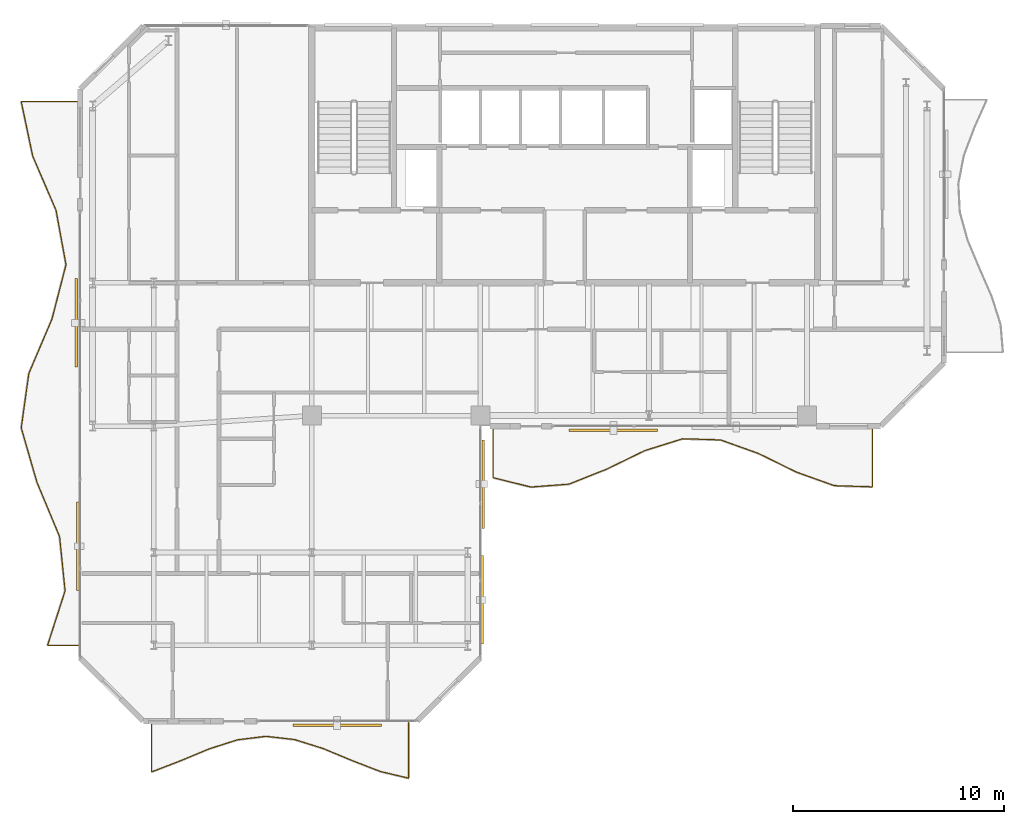
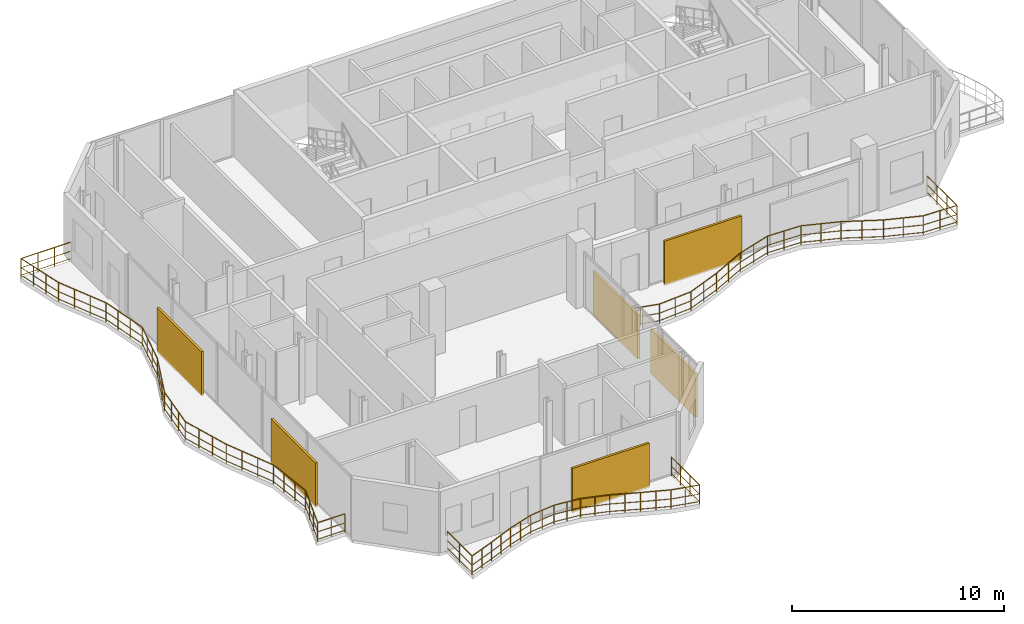
# One storey, part 21 of 23: 6 shading devices, 3 railings.
"""IFC4 building model written with IfcOpenShell, lengths in metres."""

from ifc_helpers import new_model, si_unit, direction, frame, origin, origin_2d, place, context, subcontext, project, spatial, rectangle, circle, extrude, material, type_object, element, save


model = new_model("IFC4")

# Units and contexts
model_context = context("Model", 3, precision=1e-05, world=origin(), true_north=direction((0.0, 1.0)))
body_context = subcontext(model_context, "Body", "Model", "MODEL_VIEW")
ifc_project = project(units=[si_unit("LENGTHUNIT", "METRE"), si_unit("AREAUNIT", "SQUARE_METRE"), si_unit("VOLUMEUNIT", "CUBIC_METRE"), si_unit("PLANEANGLEUNIT", "RADIAN"), si_unit("MASSUNIT", "GRAM", prefix="KILO")], contexts=[model_context])

# Site, building, storey
site_placement = place(None, origin())
site = spatial("IfcSite", under=ifc_project, at=site_placement, CompositionType="ELEMENT")
building_placement = place(site_placement, origin())
building = spatial("IfcBuilding", under=site, at=building_placement, Name="Catumbela Crestline Tower", CompositionType="ELEMENT")
storey_placement = place(building_placement, frame((0.0, 0.0, 241.2)))
storey = spatial("IfcBuildingStorey", under=building, at=storey_placement, Name="L62", CompositionType="ELEMENT", Elevation=241.2)

# Railings
ifc_material_1 = material(Name="Stainless steel EN 1.4401", Category="steel")
railing_type = type_object("IfcRailingType", Name="RB-1100", PredefinedType="BALUSTRADE", material=ifc_material_1)
railing_1_placement = place(storey_placement, frame((24.6, 23.94, 0.0)))
element("IfcRailing", 1, at=railing_1_placement, inside=storey, type_object=railing_type, Name="L62 Private Wave Balcony Balustrade 1", PredefinedType="BALUSTRADE", context=body_context, shape_type="SweptSolid", body=[
    extrude(circle(Radius=0.024, at=origin_2d()), frame((0.0, 0.0, 1.076), z_axis=(0.0, -1.0, 0.0), x_axis=(1.0, 0.0, 0.0)), (0.0, 0.0, 1.0), 2.3853),
    extrude(circle(Radius=0.0156, at=origin_2d()), frame((0.0, 0.0, 0.55), z_axis=(0.0, -1.0, 0.0), x_axis=(1.0, 0.0, 0.0)), (0.0, 0.0, 1.0), 2.3853),
    extrude(circle(Radius=0.0156, at=origin_2d()), frame((0.0, 0.0, 0.12), z_axis=(0.0, -1.0, 0.0), x_axis=(1.0, 0.0, 0.0)), (0.0, 0.0, 1.0), 2.3853),
    extrude(circle(Radius=0.024, at=origin_2d()), frame((0.0, -2.3853, 1.076), z_axis=(0.97081135802, -0.239844339395, 0.0), x_axis=(0.239844339395, 0.97081135802, 0.0)), (0.0, 0.0, 1.0), 1.8541),
    extrude(circle(Radius=0.0156, at=origin_2d()), frame((0.0, -2.3853, 0.55), z_axis=(0.97081135802, -0.239844339395, 0.0), x_axis=(0.239844339395, 0.97081135802, 0.0)), (0.0, 0.0, 1.0), 1.8541),
    extrude(circle(Radius=0.0156, at=origin_2d()), frame((0.0, -2.3853, 0.12), z_axis=(0.97081135802, -0.239844339395, 0.0), x_axis=(0.239844339395, 0.97081135802, 0.0)), (0.0, 0.0, 1.0), 1.8541),
    extrude(circle(Radius=0.024, at=origin_2d()), frame((1.8, -2.83, 1.076), z_axis=(0.9971244509, 0.075781458268, 0.0), x_axis=(-0.075781458268, 0.9971244509, 0.0)), (0.0, 0.0, 1.0), 1.8052),
    extrude(circle(Radius=0.0156, at=origin_2d()), frame((1.8, -2.83, 0.55), z_axis=(0.9971244509, 0.075781458268, 0.0), x_axis=(-0.075781458268, 0.9971244509, 0.0)), (0.0, 0.0, 1.0), 1.8052),
    extrude(circle(Radius=0.0156, at=origin_2d()), frame((1.8, -2.83, 0.12), z_axis=(0.9971244509, 0.075781458268, 0.0), x_axis=(-0.075781458268, 0.9971244509, 0.0)), (0.0, 0.0, 1.0), 1.8052),
    extrude(circle(Radius=0.024, at=origin_2d()), frame((3.6, -2.6932, 1.076), z_axis=(0.929399644581, 0.369074925526, 0.0), x_axis=(-0.369074925526, 0.929399644581, 0.0)), (0.0, 0.0, 1.0), 1.9367),
    extrude(circle(Radius=0.0156, at=origin_2d()), frame((3.6, -2.6932, 0.55), z_axis=(0.929399644581, 0.369074925526, 0.0), x_axis=(-0.369074925526, 0.929399644581, 0.0)), (0.0, 0.0, 1.0), 1.9367),
    extrude(circle(Radius=0.0156, at=origin_2d()), frame((3.6, -2.6932, 0.12), z_axis=(0.929399644581, 0.369074925526, 0.0), x_axis=(-0.369074925526, 0.929399644581, 0.0)), (0.0, 0.0, 1.0), 1.9367),
    extrude(circle(Radius=0.024, at=origin_2d()), frame((5.4, -1.9784, 1.076), z_axis=(0.899073055886, 0.437798629714, 0.0), x_axis=(-0.437798629714, 0.899073055886, 0.0)), (0.0, 0.0, 1.0), 2.0021),
    extrude(circle(Radius=0.0156, at=origin_2d()), frame((5.4, -1.9784, 0.55), z_axis=(0.899073055886, 0.437798629714, 0.0), x_axis=(-0.437798629714, 0.899073055886, 0.0)), (0.0, 0.0, 1.0), 2.0021),
    extrude(circle(Radius=0.0156, at=origin_2d()), frame((5.4, -1.9784, 0.12), z_axis=(0.899073055886, 0.437798629714, 0.0), x_axis=(-0.437798629714, 0.899073055886, 0.0)), (0.0, 0.0, 1.0), 2.0021),
    extrude(circle(Radius=0.024, at=origin_2d()), frame((7.2, -1.1019, 1.076), z_axis=(0.954374253933, 0.298613099897, 0.0), x_axis=(-0.298613099897, 0.954374253933, 0.0)), (0.0, 0.0, 1.0), 1.8861),
    extrude(circle(Radius=0.0156, at=origin_2d()), frame((7.2, -1.1019, 0.55), z_axis=(0.954374253933, 0.298613099897, 0.0), x_axis=(-0.298613099897, 0.954374253933, 0.0)), (0.0, 0.0, 1.0), 1.8861),
    extrude(circle(Radius=0.0156, at=origin_2d()), frame((7.2, -1.1019, 0.12), z_axis=(0.954374253933, 0.298613099897, 0.0), x_axis=(-0.298613099897, 0.954374253933, 0.0)), (0.0, 0.0, 1.0), 1.8861),
    extrude(circle(Radius=0.024, at=origin_2d()), frame((9.0, -0.5387, 1.076), z_axis=(0.999524991442, -0.030818687236, 0.0), x_axis=(0.030818687236, 0.999524991442, 0.0)), (0.0, 0.0, 1.0), 1.8009),
    extrude(circle(Radius=0.0156, at=origin_2d()), frame((9.0, -0.5387, 0.55), z_axis=(0.999524991442, -0.030818687236, 0.0), x_axis=(0.030818687236, 0.999524991442, 0.0)), (0.0, 0.0, 1.0), 1.8009),
    extrude(circle(Radius=0.0156, at=origin_2d()), frame((9.0, -0.5387, 0.12), z_axis=(0.999524991442, -0.030818687236, 0.0), x_axis=(0.030818687236, 0.999524991442, 0.0)), (0.0, 0.0, 1.0), 1.8009),
    extrude(circle(Radius=0.024, at=origin_2d()), frame((10.8, -0.5942, 1.076), z_axis=(0.941535818516, -0.336912900392, 0.0), x_axis=(0.336912900392, 0.941535818516, 0.0)), (0.0, 0.0, 1.0), 1.9118),
    extrude(circle(Radius=0.0156, at=origin_2d()), frame((10.8, -0.5942, 0.55), z_axis=(0.941535818516, -0.336912900392, 0.0), x_axis=(0.336912900392, 0.941535818516, 0.0)), (0.0, 0.0, 1.0), 1.9118),
    extrude(circle(Radius=0.0156, at=origin_2d()), frame((10.8, -0.5942, 0.12), z_axis=(0.941535818516, -0.336912900392, 0.0), x_axis=(0.336912900392, 0.941535818516, 0.0)), (0.0, 0.0, 1.0), 1.9118),
    extrude(circle(Radius=0.024, at=origin_2d()), frame((12.6, -1.2383, 1.076), z_axis=(0.897714236936, -0.440578198283, 0.0), x_axis=(0.440578198283, 0.897714236936, 0.0)), (0.0, 0.0, 1.0), 2.0051),
    extrude(circle(Radius=0.0156, at=origin_2d()), frame((12.6, -1.2383, 0.55), z_axis=(0.897714236936, -0.440578198283, 0.0), x_axis=(0.440578198283, 0.897714236936, 0.0)), (0.0, 0.0, 1.0), 2.0051),
    extrude(circle(Radius=0.0156, at=origin_2d()), frame((12.6, -1.2383, 0.12), z_axis=(0.897714236936, -0.440578198283, 0.0), x_axis=(0.440578198283, 0.897714236936, 0.0)), (0.0, 0.0, 1.0), 2.0051),
    extrude(circle(Radius=0.024, at=origin_2d()), frame((14.4, -2.1217, 1.076), z_axis=(0.941535818516, -0.336912900392, 0.0), x_axis=(0.336912900392, 0.941535818516, 0.0)), (0.0, 0.0, 1.0), 1.9118),
    extrude(circle(Radius=0.0156, at=origin_2d()), frame((14.4, -2.1217, 0.55), z_axis=(0.941535818516, -0.336912900392, 0.0), x_axis=(0.336912900392, 0.941535818516, 0.0)), (0.0, 0.0, 1.0), 1.9118),
    extrude(circle(Radius=0.0156, at=origin_2d()), frame((14.4, -2.1217, 0.12), z_axis=(0.941535818516, -0.336912900392, 0.0), x_axis=(0.336912900392, 0.941535818516, 0.0)), (0.0, 0.0, 1.0), 1.9118),
    extrude(circle(Radius=0.024, at=origin_2d()), frame((16.2, -2.7658, 1.076), z_axis=(0.999524991442, -0.030818687236, 0.0), x_axis=(0.030818687236, 0.999524991442, 0.0)), (0.0, 0.0, 1.0), 1.8009),
    extrude(circle(Radius=0.0156, at=origin_2d()), frame((16.2, -2.7658, 0.55), z_axis=(0.999524991442, -0.030818687236, 0.0), x_axis=(0.030818687236, 0.999524991442, 0.0)), (0.0, 0.0, 1.0), 1.8009),
    extrude(circle(Radius=0.0156, at=origin_2d()), frame((16.2, -2.7658, 0.12), z_axis=(0.999524991442, -0.030818687236, 0.0), x_axis=(0.030818687236, 0.999524991442, 0.0)), (0.0, 0.0, 1.0), 1.8009),
    extrude(circle(Radius=0.024, at=origin_2d()), frame((18.0, -2.8213, 1.076), z_axis=(0.0, 1.0, 0.0), x_axis=(-1.0, 0.0, 0.0)), (0.0, 0.0, 1.0), 2.8213),
    extrude(circle(Radius=0.0156, at=origin_2d()), frame((18.0, -2.8213, 0.55), z_axis=(0.0, 1.0, 0.0), x_axis=(-1.0, 0.0, 0.0)), (0.0, 0.0, 1.0), 2.8213),
    extrude(circle(Radius=0.0156, at=origin_2d()), frame((18.0, -2.8213, 0.12), z_axis=(0.0, 1.0, 0.0), x_axis=(-1.0, 0.0, 0.0)), (0.0, 0.0, 1.0), 2.8213),
    extrude(circle(Radius=0.021, at=origin_2d()), origin(), (0.0, 0.0, 1.0), 1.052),
    extrude(circle(Radius=0.021, at=origin_2d()), frame((0.0, -1.1927, 0.0)), (0.0, 0.0, 1.0), 1.052),
    extrude(circle(Radius=0.021, at=origin_2d()), frame((0.0, -2.3853, 0.0)), (0.0, 0.0, 1.0), 1.052),
    extrude(circle(Radius=0.021, at=origin_2d()), frame((0.9, -2.6077, 0.0)), (0.0, 0.0, 1.0), 1.052),
    extrude(circle(Radius=0.021, at=origin_2d()), frame((1.8, -2.83, 0.0)), (0.0, 0.0, 1.0), 1.052),
    extrude(circle(Radius=0.021, at=origin_2d()), frame((2.7, -2.7616, 0.0)), (0.0, 0.0, 1.0), 1.052),
    extrude(circle(Radius=0.021, at=origin_2d()), frame((3.6, -2.6932, 0.0)), (0.0, 0.0, 1.0), 1.052),
    extrude(circle(Radius=0.021, at=origin_2d()), frame((4.5, -2.3358, 0.0)), (0.0, 0.0, 1.0), 1.052),
    extrude(circle(Radius=0.021, at=origin_2d()), frame((5.4, -1.9784, 0.0)), (0.0, 0.0, 1.0), 1.052),
    extrude(circle(Radius=0.021, at=origin_2d()), frame((6.3, -1.5402, 0.0)), (0.0, 0.0, 1.0), 1.052),
    extrude(circle(Radius=0.021, at=origin_2d()), frame((7.2, -1.1019, 0.0)), (0.0, 0.0, 1.0), 1.052),
    extrude(circle(Radius=0.021, at=origin_2d()), frame((8.1, -0.8203, 0.0)), (0.0, 0.0, 1.0), 1.052),
    extrude(circle(Radius=0.021, at=origin_2d()), frame((9.0, -0.5387, 0.0)), (0.0, 0.0, 1.0), 1.052),
    extrude(circle(Radius=0.021, at=origin_2d()), frame((9.9, -0.5665, 0.0)), (0.0, 0.0, 1.0), 1.052),
    extrude(circle(Radius=0.021, at=origin_2d()), frame((10.8, -0.5942, 0.0)), (0.0, 0.0, 1.0), 1.052),
    extrude(circle(Radius=0.021, at=origin_2d()), frame((11.7, -0.9163, 0.0)), (0.0, 0.0, 1.0), 1.052),
    extrude(circle(Radius=0.021, at=origin_2d()), frame((12.6, -1.2383, 0.0)), (0.0, 0.0, 1.0), 1.052),
    extrude(circle(Radius=0.021, at=origin_2d()), frame((13.5, -1.68, 0.0)), (0.0, 0.0, 1.0), 1.052),
    extrude(circle(Radius=0.021, at=origin_2d()), frame((14.4, -2.1217, 0.0)), (0.0, 0.0, 1.0), 1.052),
    extrude(circle(Radius=0.021, at=origin_2d()), frame((15.3, -2.4438, 0.0)), (0.0, 0.0, 1.0), 1.052),
    extrude(circle(Radius=0.021, at=origin_2d()), frame((16.2, -2.7658, 0.0)), (0.0, 0.0, 1.0), 1.052),
    extrude(circle(Radius=0.021, at=origin_2d()), frame((17.1, -2.7936, 0.0)), (0.0, 0.0, 1.0), 1.052),
    extrude(circle(Radius=0.021, at=origin_2d()), frame((18.0, -2.8213, 0.0)), (0.0, 0.0, 1.0), 1.052),
    extrude(circle(Radius=0.021, at=origin_2d()), frame((18.0, -1.8809, 0.0)), (0.0, 0.0, 1.0), 1.052),
    extrude(circle(Radius=0.021, at=origin_2d()), frame((18.0, -0.9404, 0.0)), (0.0, 0.0, 1.0), 1.052),
    extrude(circle(Radius=0.021, at=origin_2d()), frame((18.0, 0.0, 0.0)), (0.0, 0.0, 1.0), 1.052),
])
railing_2_placement = place(storey_placement, frame((8.4, 9.94, 0.0)))
element("IfcRailing", 2, at=railing_2_placement, inside=storey, type_object=railing_type, Name="L62 Private Wave Balcony Balustrade 3", PredefinedType="BALUSTRADE", context=body_context, shape_type="SweptSolid", body=[
    extrude(circle(Radius=0.024, at=origin_2d()), frame((0.0, 0.0, 1.076), z_axis=(0.0, -1.0, 0.0), x_axis=(1.0, 0.0, 0.0)), (0.0, 0.0, 1.0), 2.3474),
    extrude(circle(Radius=0.0156, at=origin_2d()), frame((0.0, 0.0, 0.55), z_axis=(0.0, -1.0, 0.0), x_axis=(1.0, 0.0, 0.0)), (0.0, 0.0, 1.0), 2.3474),
    extrude(circle(Radius=0.0156, at=origin_2d()), frame((0.0, 0.0, 0.12), z_axis=(0.0, -1.0, 0.0), x_axis=(1.0, 0.0, 0.0)), (0.0, 0.0, 1.0), 2.3474),
    extrude(circle(Radius=0.024, at=origin_2d()), frame((0.0, -2.3474, 1.076), z_axis=(0.933756860318, 0.357907985115, 0.0), x_axis=(-0.357907985115, 0.933756860318, 0.0)), (0.0, 0.0, 1.0), 1.4518),
    extrude(circle(Radius=0.0156, at=origin_2d()), frame((0.0, -2.3474, 0.55), z_axis=(0.933756860318, 0.357907985115, 0.0), x_axis=(-0.357907985115, 0.933756860318, 0.0)), (0.0, 0.0, 1.0), 1.4518),
    extrude(circle(Radius=0.0156, at=origin_2d()), frame((0.0, -2.3474, 0.12), z_axis=(0.933756860318, 0.357907985115, 0.0), x_axis=(-0.357907985115, 0.933756860318, 0.0)), (0.0, 0.0, 1.0), 1.4518),
    extrude(circle(Radius=0.024, at=origin_2d()), frame((1.3556, -1.8278, 1.076), z_axis=(0.922808814946, 0.385258213484, 0.0), x_axis=(-0.385258213484, 0.922808814946, 0.0)), (0.0, 0.0, 1.0), 1.4689),
    extrude(circle(Radius=0.0156, at=origin_2d()), frame((1.3556, -1.8278, 0.55), z_axis=(0.922808814946, 0.385258213484, 0.0), x_axis=(-0.385258213484, 0.922808814946, 0.0)), (0.0, 0.0, 1.0), 1.4689),
    extrude(circle(Radius=0.0156, at=origin_2d()), frame((1.3556, -1.8278, 0.12), z_axis=(0.922808814946, 0.385258213484, 0.0), x_axis=(-0.385258213484, 0.922808814946, 0.0)), (0.0, 0.0, 1.0), 1.4689),
    extrude(circle(Radius=0.024, at=origin_2d()), frame((2.7111, -1.2619, 1.076), z_axis=(0.952238826907, 0.305354247607, 0.0), x_axis=(-0.305354247607, 0.952238826907, 0.0)), (0.0, 0.0, 1.0), 1.4236),
    extrude(circle(Radius=0.0156, at=origin_2d()), frame((2.7111, -1.2619, 0.55), z_axis=(0.952238826907, 0.305354247607, 0.0), x_axis=(-0.305354247607, 0.952238826907, 0.0)), (0.0, 0.0, 1.0), 1.4236),
    extrude(circle(Radius=0.0156, at=origin_2d()), frame((2.7111, -1.2619, 0.12), z_axis=(0.952238826907, 0.305354247607, 0.0), x_axis=(-0.305354247607, 0.952238826907, 0.0)), (0.0, 0.0, 1.0), 1.4236),
    extrude(circle(Radius=0.024, at=origin_2d()), frame((4.0667, -0.8272, 1.076), z_axis=(0.992487091948, 0.122349386252, 0.0), x_axis=(-0.122349386252, 0.992487091948, 0.0)), (0.0, 0.0, 1.0), 1.3658),
    extrude(circle(Radius=0.0156, at=origin_2d()), frame((4.0667, -0.8272, 0.55), z_axis=(0.992487091948, 0.122349386252, 0.0), x_axis=(-0.122349386252, 0.992487091948, 0.0)), (0.0, 0.0, 1.0), 1.3658),
    extrude(circle(Radius=0.0156, at=origin_2d()), frame((4.0667, -0.8272, 0.12), z_axis=(0.992487091948, 0.122349386252, 0.0), x_axis=(-0.122349386252, 0.992487091948, 0.0)), (0.0, 0.0, 1.0), 1.3658),
    extrude(circle(Radius=0.024, at=origin_2d()), frame((5.4222, -0.6601, 1.076), z_axis=(0.993690941314, -0.112153079095, 0.0), x_axis=(0.112153079095, 0.993690941314, 0.0)), (0.0, 0.0, 1.0), 1.3642),
    extrude(circle(Radius=0.0156, at=origin_2d()), frame((5.4222, -0.6601, 0.55), z_axis=(0.993690941314, -0.112153079095, 0.0), x_axis=(0.112153079095, 0.993690941314, 0.0)), (0.0, 0.0, 1.0), 1.3642),
    extrude(circle(Radius=0.0156, at=origin_2d()), frame((5.4222, -0.6601, 0.12), z_axis=(0.993690941314, -0.112153079095, 0.0), x_axis=(0.112153079095, 0.993690941314, 0.0)), (0.0, 0.0, 1.0), 1.3642),
    extrude(circle(Radius=0.024, at=origin_2d()), frame((6.7778, -0.8131, 1.076), z_axis=(0.954177625861, -0.299240803212, 0.0), x_axis=(0.299240803212, 0.954177625861, 0.0)), (0.0, 0.0, 1.0), 1.4206),
    extrude(circle(Radius=0.0156, at=origin_2d()), frame((6.7778, -0.8131, 0.55), z_axis=(0.954177625861, -0.299240803212, 0.0), x_axis=(0.299240803212, 0.954177625861, 0.0)), (0.0, 0.0, 1.0), 1.4206),
    extrude(circle(Radius=0.0156, at=origin_2d()), frame((6.7778, -0.8131, 0.12), z_axis=(0.954177625861, -0.299240803212, 0.0), x_axis=(0.299240803212, 0.954177625861, 0.0)), (0.0, 0.0, 1.0), 1.4206),
    extrude(circle(Radius=0.024, at=origin_2d()), frame((8.1333, -1.2382, 1.076), z_axis=(0.92335075611, -0.383957525243, 0.0), x_axis=(0.383957525243, 0.92335075611, 0.0)), (0.0, 0.0, 1.0), 1.4681),
    extrude(circle(Radius=0.0156, at=origin_2d()), frame((8.1333, -1.2382, 0.55), z_axis=(0.92335075611, -0.383957525243, 0.0), x_axis=(0.383957525243, 0.92335075611, 0.0)), (0.0, 0.0, 1.0), 1.4681),
    extrude(circle(Radius=0.0156, at=origin_2d()), frame((8.1333, -1.2382, 0.12), z_axis=(0.92335075611, -0.383957525243, 0.0), x_axis=(0.383957525243, 0.92335075611, 0.0)), (0.0, 0.0, 1.0), 1.4681),
    extrude(circle(Radius=0.024, at=origin_2d()), frame((9.4889, -1.8019, 1.076), z_axis=(0.932384965915, -0.361466838501, 0.0), x_axis=(0.361466838501, 0.932384965915, 0.0)), (0.0, 0.0, 1.0), 1.4538),
    extrude(circle(Radius=0.0156, at=origin_2d()), frame((9.4889, -1.8019, 0.55), z_axis=(0.932384965915, -0.361466838501, 0.0), x_axis=(0.361466838501, 0.932384965915, 0.0)), (0.0, 0.0, 1.0), 1.4538),
    extrude(circle(Radius=0.0156, at=origin_2d()), frame((9.4889, -1.8019, 0.12), z_axis=(0.932384965915, -0.361466838501, 0.0), x_axis=(0.361466838501, 0.932384965915, 0.0)), (0.0, 0.0, 1.0), 1.4538),
    extrude(circle(Radius=0.024, at=origin_2d()), frame((10.8444, -2.3274, 1.076), z_axis=(0.972880857793, -0.231306801761, 0.0), x_axis=(0.231306801761, 0.972880857793, 0.0)), (0.0, 0.0, 1.0), 1.3934),
    extrude(circle(Radius=0.0156, at=origin_2d()), frame((10.8444, -2.3274, 0.55), z_axis=(0.972880857793, -0.231306801761, 0.0), x_axis=(0.231306801761, 0.972880857793, 0.0)), (0.0, 0.0, 1.0), 1.3934),
    extrude(circle(Radius=0.0156, at=origin_2d()), frame((10.8444, -2.3274, 0.12), z_axis=(0.972880857793, -0.231306801761, 0.0), x_axis=(0.231306801761, 0.972880857793, 0.0)), (0.0, 0.0, 1.0), 1.3934),
    extrude(circle(Radius=0.024, at=origin_2d()), frame((12.2, -2.6497, 1.076), z_axis=(0.0, 1.0, 0.0), x_axis=(-1.0, 0.0, 0.0)), (0.0, 0.0, 1.0), 2.6497),
    extrude(circle(Radius=0.0156, at=origin_2d()), frame((12.2, -2.6497, 0.55), z_axis=(0.0, 1.0, 0.0), x_axis=(-1.0, 0.0, 0.0)), (0.0, 0.0, 1.0), 2.6497),
    extrude(circle(Radius=0.0156, at=origin_2d()), frame((12.2, -2.6497, 0.12), z_axis=(0.0, 1.0, 0.0), x_axis=(-1.0, 0.0, 0.0)), (0.0, 0.0, 1.0), 2.6497),
    extrude(circle(Radius=0.021, at=origin_2d()), origin(), (0.0, 0.0, 1.0), 1.052),
    extrude(circle(Radius=0.021, at=origin_2d()), frame((0.0, -1.1737, 0.0)), (0.0, 0.0, 1.0), 1.052),
    extrude(circle(Radius=0.021, at=origin_2d()), frame((0.0, -2.3474, 0.0)), (0.0, 0.0, 1.0), 1.052),
    extrude(circle(Radius=0.021, at=origin_2d()), frame((0.6778, -2.0876, 0.0)), (0.0, 0.0, 1.0), 1.052),
    extrude(circle(Radius=0.021, at=origin_2d()), frame((1.3556, -1.8278, 0.0)), (0.0, 0.0, 1.0), 1.052),
    extrude(circle(Radius=0.021, at=origin_2d()), frame((2.0333, -1.5448, 0.0)), (0.0, 0.0, 1.0), 1.052),
    extrude(circle(Radius=0.021, at=origin_2d()), frame((2.7111, -1.2619, 0.0)), (0.0, 0.0, 1.0), 1.052),
    extrude(circle(Radius=0.021, at=origin_2d()), frame((3.3889, -1.0445, 0.0)), (0.0, 0.0, 1.0), 1.052),
    extrude(circle(Radius=0.021, at=origin_2d()), frame((4.0667, -0.8272, 0.0)), (0.0, 0.0, 1.0), 1.052),
    extrude(circle(Radius=0.021, at=origin_2d()), frame((4.7444, -0.7436, 0.0)), (0.0, 0.0, 1.0), 1.052),
    extrude(circle(Radius=0.021, at=origin_2d()), frame((5.4222, -0.6601, 0.0)), (0.0, 0.0, 1.0), 1.052),
    extrude(circle(Radius=0.021, at=origin_2d()), frame((6.1, -0.7366, 0.0)), (0.0, 0.0, 1.0), 1.052),
    extrude(circle(Radius=0.021, at=origin_2d()), frame((6.7778, -0.8131, 0.0)), (0.0, 0.0, 1.0), 1.052),
    extrude(circle(Radius=0.021, at=origin_2d()), frame((7.4556, -1.0256, 0.0)), (0.0, 0.0, 1.0), 1.052),
    extrude(circle(Radius=0.021, at=origin_2d()), frame((8.1333, -1.2382, 0.0)), (0.0, 0.0, 1.0), 1.052),
    extrude(circle(Radius=0.021, at=origin_2d()), frame((8.8111, -1.52, 0.0)), (0.0, 0.0, 1.0), 1.052),
    extrude(circle(Radius=0.021, at=origin_2d()), frame((9.4889, -1.8019, 0.0)), (0.0, 0.0, 1.0), 1.052),
    extrude(circle(Radius=0.021, at=origin_2d()), frame((10.1666, -2.0646, 0.0)), (0.0, 0.0, 1.0), 1.052),
    extrude(circle(Radius=0.021, at=origin_2d()), frame((10.8444, -2.3274, 0.0)), (0.0, 0.0, 1.0), 1.052),
    extrude(circle(Radius=0.021, at=origin_2d()), frame((11.5222, -2.4885, 0.0)), (0.0, 0.0, 1.0), 1.052),
    extrude(circle(Radius=0.021, at=origin_2d()), frame((12.2, -2.6497, 0.0)), (0.0, 0.0, 1.0), 1.052),
    extrude(circle(Radius=0.021, at=origin_2d()), frame((12.2, -1.7665, 0.0)), (0.0, 0.0, 1.0), 1.052),
    extrude(circle(Radius=0.021, at=origin_2d()), frame((12.2, -0.8832, 0.0)), (0.0, 0.0, 1.0), 1.052),
    extrude(circle(Radius=0.021, at=origin_2d()), frame((12.2, 0.0, 0.0)), (0.0, 0.0, 1.0), 1.052),
])
railing_3_placement = place(storey_placement, frame((4.94, 39.4, 0.0)))
element("IfcRailing", 3, at=railing_3_placement, inside=storey, type_object=railing_type, Name="L62 Private Wave Balcony Balustrade 4", PredefinedType="BALUSTRADE", context=body_context, shape_type="SweptSolid", body=[
    extrude(circle(Radius=0.024, at=origin_2d()), frame((0.0, 0.0, 1.076), z_axis=(-1.0, 0.0, 0.0), x_axis=(0.0, -1.0, 0.0)), (0.0, 0.0, 1.0), 2.73),
    extrude(circle(Radius=0.0156, at=origin_2d()), frame((0.0, 0.0, 0.55), z_axis=(-1.0, 0.0, 0.0), x_axis=(0.0, -1.0, 0.0)), (0.0, 0.0, 1.0), 2.73),
    extrude(circle(Radius=0.0156, at=origin_2d()), frame((0.0, 0.0, 0.12), z_axis=(-1.0, 0.0, 0.0), x_axis=(0.0, -1.0, 0.0)), (0.0, 0.0, 1.0), 2.73),
    extrude(circle(Radius=0.024, at=origin_2d()), frame((-2.73, 0.0, 1.076), z_axis=(0.206062090829, -0.978538918349, 0.0), x_axis=(0.978538918349, 0.206062090829, 0.0)), (0.0, 0.0, 1.0), 2.6366),
    extrude(circle(Radius=0.0156, at=origin_2d()), frame((-2.73, 0.0, 0.55), z_axis=(0.206062090829, -0.978538918349, 0.0), x_axis=(0.978538918349, 0.206062090829, 0.0)), (0.0, 0.0, 1.0), 2.6366),
    extrude(circle(Radius=0.0156, at=origin_2d()), frame((-2.73, 0.0, 0.12), z_axis=(0.206062090829, -0.978538918349, 0.0), x_axis=(0.978538918349, 0.206062090829, 0.0)), (0.0, 0.0, 1.0), 2.6366),
    extrude(circle(Radius=0.024, at=origin_2d()), frame((-2.1867, -2.58, 1.076), z_axis=(0.395117897707, -0.918630419108, 0.0), x_axis=(0.918630419108, 0.395117897707, 0.0)), (0.0, 0.0, 1.0), 2.8085),
    extrude(circle(Radius=0.0156, at=origin_2d()), frame((-2.1867, -2.58, 0.55), z_axis=(0.395117897707, -0.918630419108, 0.0), x_axis=(0.918630419108, 0.395117897707, 0.0)), (0.0, 0.0, 1.0), 2.8085),
    extrude(circle(Radius=0.0156, at=origin_2d()), frame((-2.1867, -2.58, 0.12), z_axis=(0.395117897707, -0.918630419108, 0.0), x_axis=(0.918630419108, 0.395117897707, 0.0)), (0.0, 0.0, 1.0), 2.8085),
    extrude(circle(Radius=0.024, at=origin_2d()), frame((-1.077, -5.16, 1.076), z_axis=(0.179737618702, -0.983714586871, 0.0), x_axis=(0.983714586871, 0.179737618702, 0.0)), (0.0, 0.0, 1.0), 2.6227),
    extrude(circle(Radius=0.0156, at=origin_2d()), frame((-1.077, -5.16, 0.55), z_axis=(0.179737618702, -0.983714586871, 0.0), x_axis=(0.983714586871, 0.179737618702, 0.0)), (0.0, 0.0, 1.0), 2.6227),
    extrude(circle(Radius=0.0156, at=origin_2d()), frame((-1.077, -5.16, 0.12), z_axis=(0.179737618702, -0.983714586871, 0.0), x_axis=(0.983714586871, 0.179737618702, 0.0)), (0.0, 0.0, 1.0), 2.6227),
    extrude(circle(Radius=0.024, at=origin_2d()), frame((-0.6056, -7.74, 1.076), z_axis=(-0.249946120621, -0.968259746549, 0.0), x_axis=(0.968259746549, -0.249946120621, 0.0)), (0.0, 0.0, 1.0), 2.6646),
    extrude(circle(Radius=0.0156, at=origin_2d()), frame((-0.6056, -7.74, 0.55), z_axis=(-0.249946120621, -0.968259746549, 0.0), x_axis=(0.968259746549, -0.249946120621, 0.0)), (0.0, 0.0, 1.0), 2.6646),
    extrude(circle(Radius=0.0156, at=origin_2d()), frame((-0.6056, -7.74, 0.12), z_axis=(-0.249946120621, -0.968259746549, 0.0), x_axis=(0.968259746549, -0.249946120621, 0.0)), (0.0, 0.0, 1.0), 2.6646),
    extrude(circle(Radius=0.024, at=origin_2d()), frame((-1.2716, -10.32, 1.076), z_axis=(-0.391684292578, -0.920099676637, 0.0), x_axis=(0.920099676637, -0.391684292578, 0.0)), (0.0, 0.0, 1.0), 2.804),
    extrude(circle(Radius=0.0156, at=origin_2d()), frame((-1.2716, -10.32, 0.55), z_axis=(-0.391684292578, -0.920099676637, 0.0), x_axis=(0.920099676637, -0.391684292578, 0.0)), (0.0, 0.0, 1.0), 2.804),
    extrude(circle(Radius=0.0156, at=origin_2d()), frame((-1.2716, -10.32, 0.12), z_axis=(-0.391684292578, -0.920099676637, 0.0), x_axis=(0.920099676637, -0.391684292578, 0.0)), (0.0, 0.0, 1.0), 2.804),
    extrude(circle(Radius=0.024, at=origin_2d()), frame((-2.3699, -12.9, 1.076), z_axis=(-0.138233686263, -0.99039964054, 0.0), x_axis=(0.99039964054, -0.138233686263, 0.0)), (0.0, 0.0, 1.0), 2.605),
    extrude(circle(Radius=0.0156, at=origin_2d()), frame((-2.3699, -12.9, 0.55), z_axis=(-0.138233686263, -0.99039964054, 0.0), x_axis=(0.99039964054, -0.138233686263, 0.0)), (0.0, 0.0, 1.0), 2.605),
    extrude(circle(Radius=0.0156, at=origin_2d()), frame((-2.3699, -12.9, 0.12), z_axis=(-0.138233686263, -0.99039964054, 0.0), x_axis=(0.99039964054, -0.138233686263, 0.0)), (0.0, 0.0, 1.0), 2.605),
    extrude(circle(Radius=0.024, at=origin_2d()), frame((-2.73, -15.48, 1.076), z_axis=(0.27708130902, -0.960846474829, 0.0), x_axis=(0.960846474829, 0.27708130902, 0.0)), (0.0, 0.0, 1.0), 2.6851),
    extrude(circle(Radius=0.0156, at=origin_2d()), frame((-2.73, -15.48, 0.55), z_axis=(0.27708130902, -0.960846474829, 0.0), x_axis=(0.960846474829, 0.27708130902, 0.0)), (0.0, 0.0, 1.0), 2.6851),
    extrude(circle(Radius=0.0156, at=origin_2d()), frame((-2.73, -15.48, 0.12), z_axis=(0.27708130902, -0.960846474829, 0.0), x_axis=(0.960846474829, 0.27708130902, 0.0)), (0.0, 0.0, 1.0), 2.6851),
    extrude(circle(Radius=0.024, at=origin_2d()), frame((-1.986, -18.06, 1.076), z_axis=(0.384859228707, -0.922975283569, 0.0), x_axis=(0.922975283569, 0.384859228707, 0.0)), (0.0, 0.0, 1.0), 2.7953),
    extrude(circle(Radius=0.0156, at=origin_2d()), frame((-1.986, -18.06, 0.55), z_axis=(0.384859228707, -0.922975283569, 0.0), x_axis=(0.922975283569, 0.384859228707, 0.0)), (0.0, 0.0, 1.0), 2.7953),
    extrude(circle(Radius=0.0156, at=origin_2d()), frame((-1.986, -18.06, 0.12), z_axis=(0.384859228707, -0.922975283569, 0.0), x_axis=(0.922975283569, 0.384859228707, 0.0)), (0.0, 0.0, 1.0), 2.7953),
    extrude(circle(Radius=0.024, at=origin_2d()), frame((-0.9102, -20.64, 1.076), z_axis=(0.100610912369, -0.99492584865, 0.0), x_axis=(0.99492584865, 0.100610912369, 0.0)), (0.0, 0.0, 1.0), 2.5932),
    extrude(circle(Radius=0.0156, at=origin_2d()), frame((-0.9102, -20.64, 0.55), z_axis=(0.100610912369, -0.99492584865, 0.0), x_axis=(0.99492584865, 0.100610912369, 0.0)), (0.0, 0.0, 1.0), 2.5932),
    extrude(circle(Radius=0.0156, at=origin_2d()), frame((-0.9102, -20.64, 0.12), z_axis=(0.100610912369, -0.99492584865, 0.0), x_axis=(0.99492584865, 0.100610912369, 0.0)), (0.0, 0.0, 1.0), 2.5932),
    extrude(circle(Radius=0.024, at=origin_2d()), frame((-0.6493, -23.22, 1.076), z_axis=(-0.306314915222, -0.951930235213, 0.0), x_axis=(0.951930235213, -0.306314915222, 0.0)), (0.0, 0.0, 1.0), 2.7103),
    extrude(circle(Radius=0.0156, at=origin_2d()), frame((-0.6493, -23.22, 0.55), z_axis=(-0.306314915222, -0.951930235213, 0.0), x_axis=(0.951930235213, -0.306314915222, 0.0)), (0.0, 0.0, 1.0), 2.7103),
    extrude(circle(Radius=0.0156, at=origin_2d()), frame((-0.6493, -23.22, 0.12), z_axis=(-0.306314915222, -0.951930235213, 0.0), x_axis=(0.951930235213, -0.306314915222, 0.0)), (0.0, 0.0, 1.0), 2.7103),
    extrude(circle(Radius=0.024, at=origin_2d()), frame((-1.4795, -25.8, 1.076), z_axis=(1.0, 0.0, 0.0), x_axis=(0.0, 1.0, 0.0)), (0.0, 0.0, 1.0), 1.4795),
    extrude(circle(Radius=0.0156, at=origin_2d()), frame((-1.4795, -25.8, 0.55), z_axis=(1.0, 0.0, 0.0), x_axis=(0.0, 1.0, 0.0)), (0.0, 0.0, 1.0), 1.4795),
    extrude(circle(Radius=0.0156, at=origin_2d()), frame((-1.4795, -25.8, 0.12), z_axis=(1.0, 0.0, 0.0), x_axis=(0.0, 1.0, 0.0)), (0.0, 0.0, 1.0), 1.4795),
    extrude(circle(Radius=0.021, at=origin_2d()), origin(), (0.0, 0.0, 1.0), 1.052),
    extrude(circle(Radius=0.021, at=origin_2d()), frame((-0.91, 0.0, 0.0)), (0.0, 0.0, 1.0), 1.052),
    extrude(circle(Radius=0.021, at=origin_2d()), frame((-1.82, 0.0, 0.0)), (0.0, 0.0, 1.0), 1.052),
    extrude(circle(Radius=0.021, at=origin_2d()), frame((-2.73, 0.0, 0.0)), (0.0, 0.0, 1.0), 1.052),
    extrude(circle(Radius=0.021, at=origin_2d()), frame((-2.5489, -0.86, 0.0)), (0.0, 0.0, 1.0), 1.052),
    extrude(circle(Radius=0.021, at=origin_2d()), frame((-2.3678, -1.72, 0.0)), (0.0, 0.0, 1.0), 1.052),
    extrude(circle(Radius=0.021, at=origin_2d()), frame((-2.1867, -2.58, 0.0)), (0.0, 0.0, 1.0), 1.052),
    extrude(circle(Radius=0.021, at=origin_2d()), frame((-1.8168, -3.44, 0.0)), (0.0, 0.0, 1.0), 1.052),
    extrude(circle(Radius=0.021, at=origin_2d()), frame((-1.4469, -4.3, 0.0)), (0.0, 0.0, 1.0), 1.052),
    extrude(circle(Radius=0.021, at=origin_2d()), frame((-1.077, -5.16, 0.0)), (0.0, 0.0, 1.0), 1.052),
    extrude(circle(Radius=0.021, at=origin_2d()), frame((-0.9199, -6.02, 0.0)), (0.0, 0.0, 1.0), 1.052),
    extrude(circle(Radius=0.021, at=origin_2d()), frame((-0.7627, -6.88, 0.0)), (0.0, 0.0, 1.0), 1.052),
    extrude(circle(Radius=0.021, at=origin_2d()), frame((-0.6056, -7.74, 0.0)), (0.0, 0.0, 1.0), 1.052),
    extrude(circle(Radius=0.021, at=origin_2d()), frame((-0.8276, -8.6, 0.0)), (0.0, 0.0, 1.0), 1.052),
    extrude(circle(Radius=0.021, at=origin_2d()), frame((-1.0496, -9.46, 0.0)), (0.0, 0.0, 1.0), 1.052),
    extrude(circle(Radius=0.021, at=origin_2d()), frame((-1.2716, -10.32, 0.0)), (0.0, 0.0, 1.0), 1.052),
    extrude(circle(Radius=0.021, at=origin_2d()), frame((-1.6377, -11.18, 0.0)), (0.0, 0.0, 1.0), 1.052),
    extrude(circle(Radius=0.021, at=origin_2d()), frame((-2.0038, -12.04, 0.0)), (0.0, 0.0, 1.0), 1.052),
    extrude(circle(Radius=0.021, at=origin_2d()), frame((-2.3699, -12.9, 0.0)), (0.0, 0.0, 1.0), 1.052),
    extrude(circle(Radius=0.021, at=origin_2d()), frame((-2.4899, -13.76, 0.0)), (0.0, 0.0, 1.0), 1.052),
    extrude(circle(Radius=0.021, at=origin_2d()), frame((-2.61, -14.62, 0.0)), (0.0, 0.0, 1.0), 1.052),
    extrude(circle(Radius=0.021, at=origin_2d()), frame((-2.73, -15.48, 0.0)), (0.0, 0.0, 1.0), 1.052),
    extrude(circle(Radius=0.021, at=origin_2d()), frame((-2.482, -16.34, 0.0)), (0.0, 0.0, 1.0), 1.052),
    extrude(circle(Radius=0.021, at=origin_2d()), frame((-2.234, -17.2, 0.0)), (0.0, 0.0, 1.0), 1.052),
    extrude(circle(Radius=0.021, at=origin_2d()), frame((-1.986, -18.06, 0.0)), (0.0, 0.0, 1.0), 1.052),
    extrude(circle(Radius=0.021, at=origin_2d()), frame((-1.6274, -18.92, 0.0)), (0.0, 0.0, 1.0), 1.052),
    extrude(circle(Radius=0.021, at=origin_2d()), frame((-1.2688, -19.78, 0.0)), (0.0, 0.0, 1.0), 1.052),
    extrude(circle(Radius=0.021, at=origin_2d()), frame((-0.9102, -20.64, 0.0)), (0.0, 0.0, 1.0), 1.052),
    extrude(circle(Radius=0.021, at=origin_2d()), frame((-0.8232, -21.5, 0.0)), (0.0, 0.0, 1.0), 1.052),
    extrude(circle(Radius=0.021, at=origin_2d()), frame((-0.7363, -22.36, 0.0)), (0.0, 0.0, 1.0), 1.052),
    extrude(circle(Radius=0.021, at=origin_2d()), frame((-0.6493, -23.22, 0.0)), (0.0, 0.0, 1.0), 1.052),
    extrude(circle(Radius=0.021, at=origin_2d()), frame((-0.926, -24.08, 0.0)), (0.0, 0.0, 1.0), 1.052),
    extrude(circle(Radius=0.021, at=origin_2d()), frame((-1.2028, -24.94, 0.0)), (0.0, 0.0, 1.0), 1.052),
    extrude(circle(Radius=0.021, at=origin_2d()), frame((-1.4795, -25.8, 0.0)), (0.0, 0.0, 1.0), 1.052),
    extrude(circle(Radius=0.021, at=origin_2d()), frame((-0.7398, -25.8, 0.0)), (0.0, 0.0, 1.0), 1.052),
    extrude(circle(Radius=0.021, at=origin_2d()), frame((0.0, -25.8, 0.0)), (0.0, 0.0, 1.0), 1.052),
])

# Shading devices
ifc_material_2 = material(Name="Extruded terracotta ceramic", Category="masonry")
shading_device_type_1 = type_object("IfcShadingDeviceType", Name="ST-180", PredefinedType="USERDEFINED", material=ifc_material_2)
for number, where, z_axis, x_axis, name in (
    (4, (24.099, 15.75, -0.1), (0.0, 0.0, 1.0), (0.0, 1.0, 0.0), "L62 Perforated Terracotta Solar Screen 746 (180 mm)"),
    (5, (4.901, 18.3, -0.1), (0.0, 0.0, 1.0), (0.0, -1.0, 0.0), "L62 Perforated Terracotta Solar Screen 753 (180 mm)"),
):
    element("IfcShadingDevice", number, at=place(storey_placement, frame(where, z_axis=z_axis, x_axis=x_axis)), inside=storey, type_object=shading_device_type_1, Name=name, ObjectType="SCREEN", PredefinedType="USERDEFINED", context=body_context, shape_type="SweptSolid", body=[
        extrude(rectangle(XDim=4.2, YDim=0.12, at=origin_2d()), origin(), (0.0, 0.0, 1.0), 2.55),
    ])
shading_device_type_2 = type_object("IfcShadingDeviceType", Name="ST-260", PredefinedType="USERDEFINED", material=ifc_material_2)
shading_device_placement = place(storey_placement, frame((24.143, 21.25, -0.1), z_axis=(0.0, 0.0, 1.0), x_axis=(0.0, 1.0, 0.0)))
element("IfcShadingDevice", 6, at=shading_device_placement, inside=storey, type_object=shading_device_type_2, Name="L62 Perforated Terracotta Solar Screen 747 (260 mm)", ObjectType="SCREEN", PredefinedType="USERDEFINED", context=body_context, shape_type="SweptSolid", body=[
    extrude(rectangle(XDim=4.2, YDim=0.12, at=origin_2d()), origin(), (0.0, 0.0, 1.0), 2.55),
])
shading_device_type_3 = type_object("IfcShadingDeviceType", Name="ST-340", PredefinedType="USERDEFINED", material=ifc_material_2)
for number, where, z_axis, x_axis, name in (
    (7, (17.2, 9.813, -0.1), (0.0, 0.0, 1.0), (1.0, 0.0, 0.0), "L62 Perforated Terracotta Solar Screen 745 (340 mm)"),
    (8, (30.3125, 23.813, -0.1), (0.0, 0.0, 1.0), (1.0, 0.0, 0.0), "L62 Perforated Terracotta Solar Screen 748 (340 mm)"),
    (9, (4.813, 28.9, -0.1), (0.0, 0.0, 1.0), (0.0, -1.0, 0.0), "L62 Perforated Terracotta Solar Screen 752 (340 mm)"),
):
    element("IfcShadingDevice", number, at=place(storey_placement, frame(where, z_axis=z_axis, x_axis=x_axis)), inside=storey, type_object=shading_device_type_3, Name=name, ObjectType="SCREEN", PredefinedType="USERDEFINED", context=body_context, shape_type="SweptSolid", body=[
        extrude(rectangle(XDim=4.2, YDim=0.12, at=origin_2d()), origin(), (0.0, 0.0, 1.0), 2.55),
    ])

save(model, "model.ifc")
